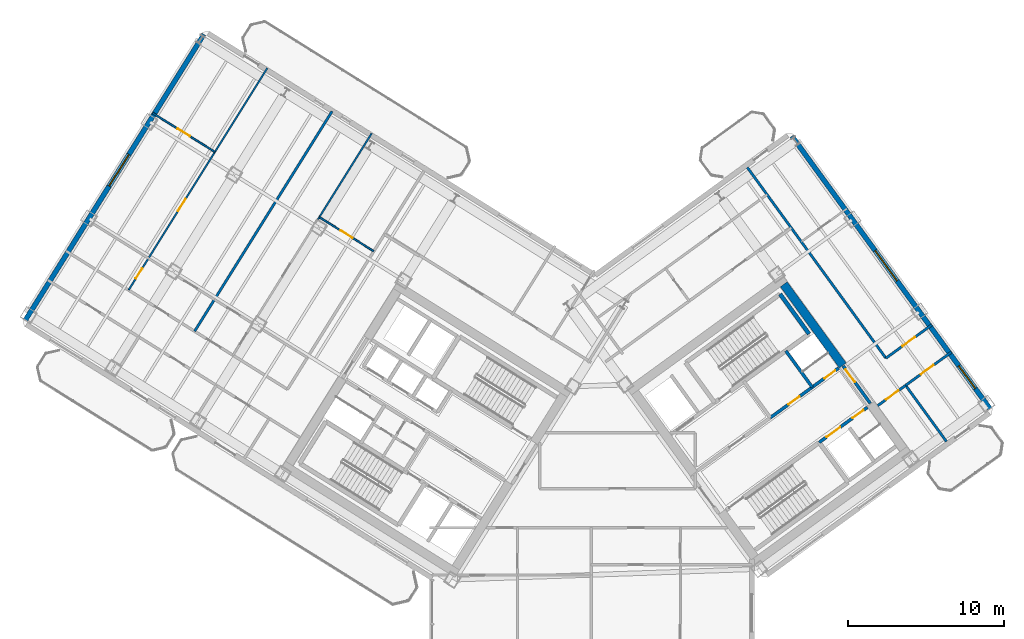
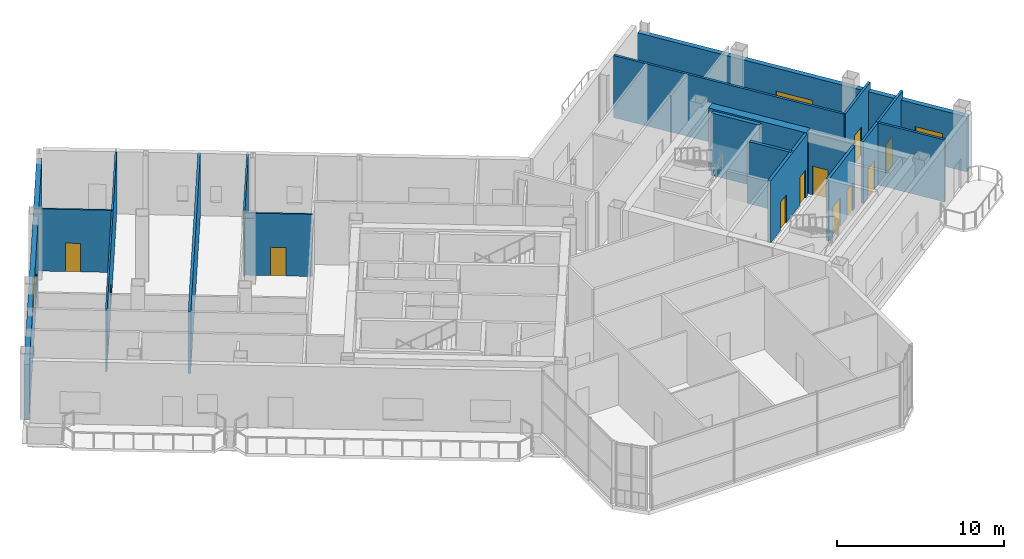
# One storey, part 16 of 21: 18 walls, 12 doors, 3 windows, 15 openings.
"""IFC4 building model written with IfcOpenShell, lengths in metres."""

from ifc_helpers import new_model, si_unit, direction, frame, frame_2d, origin, place, context, subcontext, project, spatial, rectangle, extrude, source, transform, mapped, material, layer, layer_set, type_object, element, fill, save


model = new_model("IFC4")

# Units and contexts
model_context = context("Model", 3, precision=1e-05, world=origin(), true_north=direction((0.0, 1.0)))
body_context = subcontext(model_context, "Body", "Model", "MODEL_VIEW")
ifc_project = project(units=[si_unit("LENGTHUNIT", "METRE"), si_unit("AREAUNIT", "SQUARE_METRE"), si_unit("VOLUMEUNIT", "CUBIC_METRE"), si_unit("PLANEANGLEUNIT", "RADIAN"), si_unit("MASSUNIT", "GRAM", prefix="KILO")], contexts=[model_context])

# Site, building, storey
site_placement = place(None, origin())
site = spatial("IfcSite", under=ifc_project, at=site_placement, CompositionType="ELEMENT")
building_placement = place(site_placement, origin())
building = spatial("IfcBuilding", under=site, at=building_placement, Name="Tlacorven Tower", CompositionType="ELEMENT")
storey_placement = place(building_placement, frame((0.0, 0.0, 179.39990234375)))
storey = spatial("IfcBuildingStorey", under=building, at=storey_placement, Name="L45", CompositionType="ELEMENT", Elevation=179.39990234375)

# Walls
ifc_material_1 = material(Name="Concrete C60/75", Category="concrete")
ifc_layer_1 = layer(ifc_material_1, 0.550048828125)
ifc_layer_set_1 = layer_set([ifc_layer_1], Name="Concrete C60/75")
wall_type_1 = type_object("IfcWallType", Name="WL-COR-550", PredefinedType="SHEAR", material=ifc_layer_set_1)
wall_1_placement = place(storey_placement, frame((58.06396484375, 25.8134765625, 0.0), z_axis=(0.0, 0.0, 1.0), x_axis=(-0.587764933797, 0.809031756236, 0.0)))
element("IfcWall", 1, at=wall_1_placement, inside=storey, type_object=wall_type_1, Name="L45 E core end wall E2.2", PredefinedType="SHEAR", context=body_context, shape_type="SweptSolid", body=[
    extrude(rectangle(XDim=6.425048828125, YDim=0.550048828125, at=frame_2d((3.21240234375, 0.0))), origin(), (0.0, 0.0, 1.0), 4.550048828125),
])
ifc_material_2 = material(Name="Gypsum plasterboard acoustic partition", Category="gypsum")
ifc_layer_2 = layer(ifc_material_2, 0.159912109375)
ifc_layer_set_2 = layer_set([ifc_layer_2], Name="Gypsum plasterboard acoustic partition")
wall_type_2 = type_object("IfcWallType", Name="WL-DEM-160", PredefinedType="PARTITIONING", material=ifc_layer_set_2)
wall_2_placement = place(storey_placement, frame((25.3505859375, 42.0947265625, 0.0), z_axis=(0.0, 0.0, 1.0), x_axis=(-0.529926315456, -0.848043690023, 0.0)))
element("IfcWall", 2, at=wall_2_placement, inside=storey, type_object=wall_type_2, Name="L45 WS Demising Wall 1", PredefinedType="PARTITIONING", context=body_context, shape_type="SweptSolid", body=[
    extrude(rectangle(XDim=16.6201171875, YDim=0.159912109375, at=frame_2d((8.31005859375, 0.0))), origin(), (0.0, 0.0, 1.0), 4.5400390625),
])

# Wall, opening, door
wall_3_placement = place(storey_placement, frame((60.306884765625, 23.240478515625, 0.0), z_axis=(0.0, 0.0, 1.0), x_axis=(0.80898466188, 0.58782975158, 0.0)))
wall_3 = element("IfcWall", 3, at=wall_3_placement, inside=storey, type_object=wall_type_2, Name="L45 partition 86", PredefinedType="PARTITIONING", context=body_context, shape_type="SweptSolid", body=[
    extrude(rectangle(XDim=2.207763671875, YDim=0.159912109375, at=frame_2d((1.10400390625, 0.0))), origin(), (0.0, 0.0, 1.0), 4.5400390625),
])
opening_1_placement = place(wall_3_placement, frame((0.64794921875, 0.0, 0.0)))
opening_1 = element("IfcOpeningElement", 4, at=opening_1_placement, cuts=wall_3, Name="Opening D11", PredefinedType="OPENING", context=body_context, shape_type="SweptSolid", body=[
    extrude(rectangle(XDim=1.0, YDim=2.10009765625, at=frame_2d((0.5, 1.050048828125))), frame((0.0, 0.08984375, 0.0), z_axis=(0.0, -1.0, 0.0), x_axis=(1.0, 0.0, 0.0)), (0.0, 0.0, 1.0), 0.179931640625),
])
ifc_material_3 = material(Name="Fire-rated steel door assembly", Category="steel")
door_type_1 = type_object("IfcDoorType", Name="DR-FLT-FD60-1000", OperationType="NOTDEFINED", PredefinedType="DOOR", material=ifc_material_3)
shared_shape_1 = source(origin(), body_context, "Body", "SweptSolid", [
    extrude(rectangle(XDim=1.0, YDim=2.10009765625, at=frame_2d((0.5, 1.050048828125))), frame((0.0, 0.02490234375, 0.0), z_axis=(0.0, -1.0, 0.0), x_axis=(1.0, 0.0, 0.0)), (0.0, 0.0, 1.0), 0.050048828125),
])
door_1_placement = place(opening_1_placement, frame((1.0, 0.0, 0.0), z_axis=(0.0, 0.0, 1.0), x_axis=(-1.0, 0.0, 0.0)))
door_1 = element("IfcDoor", 5, at=door_1_placement, inside=storey, type_object=door_type_1, Name="L45 door 054", OperationType="SINGLE_SWING_LEFT", OverallHeight=2.10009765625, OverallWidth=1.0, PredefinedType="DOOR", context=body_context, shape_type="MappedRepresentation", body=[
    mapped(shared_shape_1, transform((0.0, 0.0, 0.0), scale=1.0)),
])
fill(opening_1, door_1)

# Walls
wall_4_placement = place(storey_placement, frame((64.708740234375, 20.93798828125, 0.0), z_axis=(0.0, 0.0, 1.0), x_axis=(-0.587773666605, 0.809025411743, 0.0)))
element("IfcWall", 6, at=wall_4_placement, inside=storey, type_object=wall_type_2, Name="L45 partition 88", PredefinedType="PARTITIONING", context=body_context, shape_type="SweptSolid", body=[
    extrude(rectangle(XDim=4.4501953125, YDim=0.159912109375, at=frame_2d((2.22509765625, 0.0))), origin(), (0.0, 0.0, 1.0), 4.5400390625),
])
wall_5_placement = place(storey_placement, frame((60.829345703125, 26.277587890625, 0.0), z_axis=(0.0, 0.0, 1.0), x_axis=(-0.587777474174, 0.809022645451, 0.0)))
element("IfcWall", 7, at=wall_5_placement, inside=storey, type_object=wall_type_2, Name="L45 partition 89", PredefinedType="PARTITIONING", context=body_context, shape_type="SweptSolid", body=[
    extrude(rectangle(XDim=15.10009765625, YDim=0.159912109375, at=frame_2d((7.550048828125, 0.0))), origin(), (0.0, 0.0, 1.0), 4.5400390625),
])

# Wall, opening, door
wall_6_placement = place(storey_placement, frame((62.093017578125, 24.538330078125, 0.0), z_axis=(0.0, 0.0, 1.0), x_axis=(0.809035546126, 0.58775971715, 0.0)))
wall_6 = element("IfcWall", 8, at=wall_6_placement, inside=storey, type_object=wall_type_2, Name="L45 partition 91", PredefinedType="PARTITIONING", context=body_context, shape_type="SweptSolid", body=[
    extrude(rectangle(XDim=3.6298828125, YDim=0.159912109375, at=frame_2d((1.81494140625, 0.0))), origin(), (0.0, 0.0, 1.0), 4.5400390625),
])
opening_2_placement = place(wall_6_placement, frame((1.199951171875, 0.0, 0.0)))
opening_2 = element("IfcOpeningElement", 9, at=opening_2_placement, cuts=wall_6, Name="Opening D11", PredefinedType="OPENING", context=body_context, shape_type="SweptSolid", body=[
    extrude(rectangle(XDim=1.0, YDim=2.10009765625, at=frame_2d((0.5, 1.050048828125))), frame((0.0, 0.08984375, 0.0), z_axis=(0.0, -1.0, 0.0), x_axis=(1.0, 0.0, 0.0)), (0.0, 0.0, 1.0), 0.179931640625),
])
door_2_placement = place(opening_2_placement, frame((1.0, 0.0, 0.0), z_axis=(0.0, 0.0, 1.0), x_axis=(-1.0, 0.0, 0.0)))
door_2 = element("IfcDoor", 10, at=door_2_placement, inside=storey, type_object=door_type_1, Name="L45 door 058", OperationType="SINGLE_SWING_LEFT", OverallHeight=2.10009765625, OverallWidth=1.0, PredefinedType="DOOR", context=body_context, shape_type="MappedRepresentation", body=[
    mapped(shared_shape_1, transform((0.0, 0.0, 0.0), scale=1.0)),
])
fill(opening_2, door_2)

wall_7_placement = place(storey_placement, frame((60.829345703125, 26.277587890625, 0.0), z_axis=(0.0, 0.0, 1.0), x_axis=(0.809003564202, 0.587803736896, 0.0)))
wall_7 = element("IfcWall", 11, at=wall_7_placement, inside=storey, type_object=wall_type_2, Name="L45 partition 92", PredefinedType="PARTITIONING", context=body_context, shape_type="SweptSolid", body=[
    extrude(rectangle(XDim=3.630126953125, YDim=0.159912109375, at=frame_2d((1.81494140625, 0.0))), origin(), (0.0, 0.0, 1.0), 4.5400390625),
])
opening_3_placement = place(wall_7_placement, frame((1.304931640625, 0.0, 0.0)))
opening_3 = element("IfcOpeningElement", 12, at=opening_3_placement, cuts=wall_7, Name="Opening D11", PredefinedType="OPENING", context=body_context, shape_type="SweptSolid", body=[
    extrude(rectangle(XDim=1.0, YDim=2.10009765625, at=frame_2d((0.5, 1.050048828125))), frame((0.0, 0.08984375, 0.0), z_axis=(0.0, -1.0, 0.0), x_axis=(1.0, 0.0, 0.0)), (0.0, 0.0, 1.0), 0.179931640625),
])
door_3_placement = place(opening_3_placement, origin())
door_3 = element("IfcDoor", 13, at=door_3_placement, inside=storey, type_object=door_type_1, Name="L45 door 056", OperationType="SINGLE_SWING_LEFT", OverallHeight=2.10009765625, OverallWidth=1.0, PredefinedType="DOOR", context=body_context, shape_type="MappedRepresentation", body=[
    mapped(shared_shape_1, transform((0.0, 0.0, 0.0), scale=1.0)),
])
fill(opening_3, door_3)

# Wall, opening, window
ifc_material_4 = material(Name="Precast concrete C45/55", Category="concrete")
ifc_layer_3 = layer(ifc_material_4, 0.320068359375)
ifc_layer_set_3 = layer_set([ifc_layer_3], Name="Precast concrete C45/55")
wall_type_3 = type_object("IfcWallType", Name="WL-EXT-320", PredefinedType="STANDARD", material=ifc_layer_set_3)
wall_8_placement = place(storey_placement, frame((5.699951171875, 28.71044921875, 0.0), z_axis=(0.0, 0.0, 1.0), x_axis=(0.529923711467, 0.8480453172, 0.0)))
wall_8 = element("IfcWall", 14, at=wall_8_placement, inside=storey, type_object=wall_type_3, Name="L45 Masonry-Frame Recessed Facade Wall 2", PredefinedType="STANDARD", context=body_context, shape_type="SweptSolid", body=[
    extrude(rectangle(XDim=21.58740234375, YDim=0.320068359375, at=frame_2d((10.793701171875, 0.0))), origin(), (0.0, 0.0, 1.0), 4.025146484375),
])
opening_4_placement = place(wall_8_placement, frame((10.126708984375, 0.0, 0.75)))
opening_4 = element("IfcOpeningElement", 15, at=opening_4_placement, cuts=wall_8, Name="Opening WN06", PredefinedType="OPENING", context=body_context, shape_type="SweptSolid", body=[
    extrude(rectangle(XDim=2.39990234375, YDim=1.60009765625, at=frame_2d((1.199951171875, 0.800048828125))), frame((0.0, 0.169921875, 0.0), z_axis=(0.0, -1.0, 0.0), x_axis=(1.0, 0.0, 0.0)), (0.0, 0.0, 1.0), 0.340087890625),
])
ifc_material_5 = material(Name="Dark solar low-E double glazing in anodised aluminium frame", Category="aluminium")
window_type_1 = type_object("IfcWindowType", Name="WN-APT-2400X1800", PartitioningType="SINGLE_PANEL", PredefinedType="WINDOW", material=ifc_material_5)
shared_shape_2 = source(origin(), body_context, "Body", "SweptSolid", [
    extrude(rectangle(XDim=2.39990234375, YDim=1.60009765625, at=frame_2d((1.199951171875, 0.800048828125))), frame((0.0, 0.030029296875, 0.0), z_axis=(0.0, -1.0, 0.0), x_axis=(1.0, 0.0, 0.0)), (0.0, 0.0, 1.0), 0.06005859375),
])
window_1_placement = place(opening_4_placement, origin())
window_1 = element("IfcWindow", 16, at=window_1_placement, inside=storey, type_object=window_type_1, Name="L45 Recessed Masonry-Frame Window L45-02.1", OverallHeight=1.60009765625, OverallWidth=2.39990234375, PartitioningType="SINGLE_PANEL", PredefinedType="WINDOW", context=body_context, shape_type="MappedRepresentation", body=[
    mapped(shared_shape_2, transform((0.0, 0.0, 0.0), scale=1.0)),
])
fill(opening_4, window_1)

# Wall, openings, windows
wall_9_placement = place(storey_placement, frame((54.810302734375, 40.49951171875, 0.0), z_axis=(0.0, 0.0, 1.0), x_axis=(0.587783625747, -0.809018176127, 0.0)))
wall_9 = element("IfcWall", 17, at=wall_9_placement, inside=storey, type_object=wall_type_3, Name="L45 Masonry-Frame Recessed Facade Wall 5", PredefinedType="STANDARD", context=body_context, shape_type="SweptSolid", body=[
    extrude(rectangle(XDim=21.58740234375, YDim=0.320068359375, at=frame_2d((10.793701171875, 0.0))), origin(), (0.0, 0.0, 1.0), 4.025146484375),
])
opening_5_placement = place(wall_9_placement, frame((9.060546875, 0.0, 0.75)))
opening_5 = element("IfcOpeningElement", 18, at=opening_5_placement, cuts=wall_9, Name="Opening WN06", PredefinedType="OPENING", context=body_context, shape_type="SweptSolid", body=[
    extrude(rectangle(XDim=2.39990234375, YDim=1.60009765625, at=frame_2d((1.199951171875, 0.800048828125))), frame((0.0, 0.169921875, 0.0), z_axis=(0.0, -1.0, 0.0), x_axis=(1.0, 0.0, 0.0)), (0.0, 0.0, 1.0), 0.340087890625),
])
opening_6_placement = place(wall_9_placement, frame((18.18359375, 0.0, 0.85009765625)))
opening_6 = element("IfcOpeningElement", 19, at=opening_6_placement, cuts=wall_9, Name="Opening WN01", PredefinedType="OPENING", context=body_context, shape_type="SweptSolid", body=[
    extrude(rectangle(XDim=1.800048828125, YDim=1.5, at=frame_2d((0.89990234375, 0.75))), frame((0.0, 0.169921875, 0.0), z_axis=(0.0, -1.0, 0.0), x_axis=(1.0, 0.0, 0.0)), (0.0, 0.0, 1.0), 0.340087890625),
])
window_type_2 = type_object("IfcWindowType", Name="WN-APT-1800X1650", PartitioningType="SINGLE_PANEL", PredefinedType="WINDOW", material=ifc_material_5)
shared_shape_3 = source(origin(), body_context, "Body", "SweptSolid", [
    extrude(rectangle(XDim=1.800048828125, YDim=1.5, at=frame_2d((0.89990234375, 0.75))), frame((0.0, 0.030029296875, 0.0), z_axis=(0.0, -1.0, 0.0), x_axis=(1.0, 0.0, 0.0)), (0.0, 0.0, 1.0), 0.06005859375),
])
window_2_placement = place(opening_6_placement, origin())
window_2 = element("IfcWindow", 20, at=window_2_placement, inside=storey, type_object=window_type_2, Name="L45 Recessed Masonry-Frame Window L45-05.2", OverallHeight=1.5, OverallWidth=1.800048828125, PartitioningType="SINGLE_PANEL", PredefinedType="WINDOW", context=body_context, shape_type="MappedRepresentation", body=[
    mapped(shared_shape_3, transform((0.0, 0.0, 0.0), scale=1.0)),
])
fill(opening_6, window_2)
window_3_placement = place(opening_5_placement, origin())
window_3 = element("IfcWindow", 21, at=window_3_placement, inside=storey, type_object=window_type_1, Name="L45 Recessed Masonry-Frame Window L45-05.1", OverallHeight=1.60009765625, OverallWidth=2.39990234375, PartitioningType="SINGLE_PANEL", PredefinedType="WINDOW", context=body_context, shape_type="MappedRepresentation", body=[
    mapped(shared_shape_2, transform((0.0, 0.0, 0.0), scale=1.0)),
])
fill(opening_5, window_3)

# Wall
ifc_material_6 = material(Name="Gypsum plasterboard partition", Category="gypsum")
ifc_layer_4 = layer(ifc_material_6, 0.110107421875)
ifc_layer_set_4 = layer_set([ifc_layer_4], Name="Gypsum plasterboard partition")
wall_type_4 = type_object("IfcWallType", Name="WL-INT-110", PredefinedType="PARTITIONING", material=ifc_layer_set_4)
wall_10_placement = place(storey_placement, frame((27.889404296875, 40.68505859375, 0.0), z_axis=(0.0, 0.0, 1.0), x_axis=(-0.529924752708, -0.848044666552, 0.0)))
element("IfcWall", 22, at=wall_10_placement, inside=storey, type_object=wall_type_4, Name="L45 partition 54", PredefinedType="PARTITIONING", context=body_context, shape_type="SweptSolid", body=[
    extrude(rectangle(XDim=6.508056640625, YDim=0.110107421875, at=frame_2d((3.25390625, 0.0))), origin(), (0.0, 0.0, 1.0), 4.5400390625),
])

# Wall, opening, door
wall_11_placement = place(storey_placement, frame((28.0234375, 33.12890625, 0.0), z_axis=(0.0, 0.0, 1.0), x_axis=(-0.848051592054, 0.529913669587, 0.0)))
wall_11 = element("IfcWall", 23, at=wall_11_placement, inside=storey, type_object=wall_type_4, Name="L45 partition 58", PredefinedType="PARTITIONING", context=body_context, shape_type="SweptSolid", body=[
    extrude(rectangle(XDim=4.117919921875, YDim=0.110107421875, at=frame_2d((2.05908203125, 0.0))), origin(), (0.0, 0.0, 1.0), 4.5400390625),
])
opening_7_placement = place(wall_11_placement, frame((1.59912109375, 0.0, 0.0)))
opening_7 = element("IfcOpeningElement", 24, at=opening_7_placement, cuts=wall_11, Name="Opening D12", PredefinedType="OPENING", context=body_context, shape_type="SweptSolid", body=[
    extrude(rectangle(XDim=0.919921875, YDim=2.080078125, at=frame_2d((0.4599609375, 1.0400390625))), frame((0.0, 0.06494140625, 0.0), z_axis=(0.0, -1.0, 0.0), x_axis=(1.0, 0.0, 0.0)), (0.0, 0.0, 1.0), 0.130126953125),
])
ifc_material_7 = material(Name="Powder-coated aluminium and timber door", Category="wood")
door_type_2 = type_object("IfcDoorType", Name="DR-INT-ROOM-0920", OperationType="NOTDEFINED", PredefinedType="DOOR", material=ifc_material_7)
shared_shape_4 = source(origin(), body_context, "Body", "SweptSolid", [
    extrude(rectangle(XDim=0.919921875, YDim=2.080078125, at=frame_2d((0.4599609375, 1.0400390625))), frame((0.0, 0.02490234375, 0.0), z_axis=(0.0, -1.0, 0.0), x_axis=(1.0, 0.0, 0.0)), (0.0, 0.0, 1.0), 0.050048828125),
])
door_4_placement = place(opening_7_placement, origin())
door_4 = element("IfcDoor", 25, at=door_4_placement, inside=storey, type_object=door_type_2, Name="L45 door 031", OperationType="SINGLE_SWING_LEFT", OverallHeight=2.080078125, OverallWidth=0.919921875, PredefinedType="DOOR", context=body_context, shape_type="MappedRepresentation", body=[
    mapped(shared_shape_4, transform((0.0, 0.0, 0.0), scale=1.0)),
])
fill(opening_7, door_4)

# Wall, openings, doors
wall_12_placement = place(storey_placement, frame((21.20166015625, 44.864013671875, 0.0), z_axis=(0.0, 0.0, 1.0), x_axis=(-0.529920421309, -0.848047373134, 0.0)))
wall_12 = element("IfcWall", 26, at=wall_12_placement, inside=storey, type_object=wall_type_4, Name="L45 partition 59", PredefinedType="PARTITIONING", context=body_context, shape_type="SweptSolid", body=[
    extrude(rectangle(XDim=16.77001953125, YDim=0.110107421875, at=frame_2d((8.385009765625, 0.0))), origin(), (0.0, 0.0, 1.0), 4.5400390625),
])
opening_8_placement = place(wall_12_placement, frame((15.1298828125, 0.0, 0.0)))
opening_8 = element("IfcOpeningElement", 27, at=opening_8_placement, cuts=wall_12, Name="Opening D22", PredefinedType="OPENING", context=body_context, shape_type="SweptSolid", body=[
    extrude(rectangle(XDim=0.780029296875, YDim=2.050048828125, at=frame_2d((0.39013671875, 1.02490234375))), frame((0.0, 0.06494140625, 0.0), z_axis=(0.0, -1.0, 0.0), x_axis=(1.0, 0.0, 0.0)), (0.0, 0.0, 1.0), 0.130126953125),
])
opening_9_placement = place(wall_12_placement, frame((9.883544921875, 0.0, 0.0)))
opening_9 = element("IfcOpeningElement", 28, at=opening_9_placement, cuts=wall_12, Name="Opening D12", PredefinedType="OPENING", context=body_context, shape_type="SweptSolid", body=[
    extrude(rectangle(XDim=0.919921875, YDim=2.080078125, at=frame_2d((0.4599609375, 1.0400390625))), frame((0.0, 0.06494140625, 0.0), z_axis=(0.0, -1.0, 0.0), x_axis=(1.0, 0.0, 0.0)), (0.0, 0.0, 1.0), 0.130126953125),
])
door_type_3 = type_object("IfcDoorType", Name="DR-INT-WET-0780", OperationType="NOTDEFINED", PredefinedType="DOOR", material=ifc_material_7)
shared_shape_5 = source(origin(), body_context, "Body", "SweptSolid", [
    extrude(rectangle(XDim=0.780029296875, YDim=2.050048828125, at=frame_2d((0.39013671875, 1.02490234375))), frame((0.0, 0.02490234375, 0.0), z_axis=(0.0, -1.0, 0.0), x_axis=(1.0, 0.0, 0.0)), (0.0, 0.0, 1.0), 0.050048828125),
])
door_5_placement = place(opening_8_placement, origin())
door_5 = element("IfcDoor", 29, at=door_5_placement, inside=storey, type_object=door_type_3, Name="L45 door 035", OperationType="SINGLE_SWING_LEFT", OverallHeight=2.050048828125, OverallWidth=0.780029296875, PredefinedType="DOOR", context=body_context, shape_type="MappedRepresentation", body=[
    mapped(shared_shape_5, transform((0.0, 0.0, 0.0), scale=1.0)),
])
fill(opening_8, door_5)
door_6_placement = place(opening_9_placement, origin())
door_6 = element("IfcDoor", 30, at=door_6_placement, inside=storey, type_object=door_type_2, Name="L45 door 036", OperationType="SINGLE_SWING_RIGHT", OverallHeight=2.080078125, OverallWidth=0.919921875, PredefinedType="DOOR", context=body_context, shape_type="MappedRepresentation", body=[
    mapped(shared_shape_4, transform((0.0, 0.0, 0.0), scale=1.0)),
])
fill(opening_9, door_6)

# Wall, opening, door
wall_13_placement = place(storey_placement, frame((17.843505859375, 39.489990234375, 0.0), z_axis=(0.0, 0.0, 1.0), x_axis=(-0.848042018142, 0.529928990966, 0.0)))
wall_13 = element("IfcWall", 31, at=wall_13_placement, inside=storey, type_object=wall_type_4, Name="L45 partition 63", PredefinedType="PARTITIONING", context=body_context, shape_type="SweptSolid", body=[
    extrude(rectangle(XDim=4.7060546875, YDim=0.110107421875, at=frame_2d((2.35302734375, 0.0))), origin(), (0.0, 0.0, 1.0), 4.5400390625),
])
opening_10_placement = place(wall_13_placement, frame((1.89306640625, 0.0, 0.0)))
opening_10 = element("IfcOpeningElement", 32, at=opening_10_placement, cuts=wall_13, Name="Opening D12", PredefinedType="OPENING", context=body_context, shape_type="SweptSolid", body=[
    extrude(rectangle(XDim=0.919921875, YDim=2.080078125, at=frame_2d((0.4599609375, 1.0400390625))), frame((0.0, 0.06494140625, 0.0), z_axis=(0.0, -1.0, 0.0), x_axis=(1.0, 0.0, 0.0)), (0.0, 0.0, 1.0), 0.130126953125),
])
door_7_placement = place(opening_10_placement, origin())
door_7 = element("IfcDoor", 33, at=door_7_placement, inside=storey, type_object=door_type_2, Name="L45 door 037", OperationType="SINGLE_SWING_LEFT", OverallHeight=2.080078125, OverallWidth=0.919921875, PredefinedType="DOOR", context=body_context, shape_type="MappedRepresentation", body=[
    mapped(shared_shape_4, transform((0.0, 0.0, 0.0), scale=1.0)),
])
fill(opening_10, door_7)

# Wall, openings, doors
ifc_material_8 = material(Name="Concrete C40/50", Category="concrete")
ifc_layer_5 = layer(ifc_material_8, 0.199951171875)
ifc_layer_set_5 = layer_set([ifc_layer_5], Name="Concrete C40/50")
wall_type_5 = type_object("IfcWallType", Name="WL-SHF-200", PredefinedType="STANDARD", material=ifc_layer_set_5)
wall_14_placement = place(storey_placement, frame((56.552978515625, 20.884033203125, 0.0), z_axis=(0.0, 0.0, 1.0), x_axis=(0.809023564264, 0.58777620951, 0.0)))
wall_14 = element("IfcWall", 34, at=wall_14_placement, inside=storey, type_object=wall_type_5, Name="L45 Core E South Lift Shaft Wall", PredefinedType="STANDARD", context=body_context, shape_type="SweptSolid", body=[
    extrude(rectangle(XDim=3.818115234375, YDim=0.199951171875, at=frame_2d((1.9091796875, 0.0))), origin(), (0.0, 0.0, 1.0), 4.5400390625),
])
opening_11_placement = place(wall_14_placement, frame((0.570068359375, 0.0, 0.0)))
opening_11 = element("IfcOpeningElement", 35, at=opening_11_placement, cuts=wall_14, Name="Opening LD01", PredefinedType="OPENING", context=body_context, shape_type="SweptSolid", body=[
    extrude(rectangle(XDim=1.10009765625, YDim=2.14990234375, at=frame_2d((0.550048828125, 1.074951171875))), frame((0.0, 0.10986328125, 0.0), z_axis=(0.0, -1.0, 0.0), x_axis=(1.0, 0.0, 0.0)), (0.0, 0.0, 1.0), 0.219970703125),
])
opening_12_placement = place(wall_14_placement, frame((2.64990234375, 0.0, 0.0)))
opening_12 = element("IfcOpeningElement", 36, at=opening_12_placement, cuts=wall_14, Name="Opening D19", PredefinedType="OPENING", context=body_context, shape_type="SweptSolid", body=[
    extrude(rectangle(XDim=0.860107421875, YDim=2.050048828125, at=frame_2d((0.43017578125, 1.02490234375))), frame((0.0, 0.10986328125, 0.0), z_axis=(0.0, -1.0, 0.0), x_axis=(1.0, 0.0, 0.0)), (0.0, 0.0, 1.0), 0.219970703125),
])
door_type_4 = type_object("IfcDoorType", Name="DR-RSR-FD60-0860", OperationType="NOTDEFINED", PredefinedType="DOOR", material=ifc_material_3)
shared_shape_6 = source(origin(), body_context, "Body", "SweptSolid", [
    extrude(rectangle(XDim=0.860107421875, YDim=2.050048828125, at=frame_2d((0.43017578125, 1.02490234375))), frame((0.0, 0.02490234375, 0.0), z_axis=(0.0, -1.0, 0.0), x_axis=(1.0, 0.0, 0.0)), (0.0, 0.0, 1.0), 0.050048828125),
])
door_8_placement = place(opening_12_placement, origin())
door_8 = element("IfcDoor", 37, at=door_8_placement, inside=storey, type_object=door_type_4, Name="L45 Smoke Extract Riser Access Door", OperationType="SINGLE_SWING_RIGHT", OverallHeight=2.050048828125, OverallWidth=0.860107421875, PredefinedType="DOOR", context=body_context, shape_type="MappedRepresentation", body=[
    mapped(shared_shape_6, transform((0.0, 0.0, 0.0), scale=1.0)),
])
fill(opening_12, door_8)
door_type_5 = type_object("IfcDoorType", Name="DR-LFT-SLID-1100", OperationType="DOUBLE_DOOR_SLIDING", PredefinedType="DOOR", material=ifc_material_3)
shared_shape_7 = source(origin(), body_context, "Body", "SweptSolid", [
    extrude(rectangle(XDim=1.10009765625, YDim=2.14990234375, at=frame_2d((0.550048828125, 1.074951171875))), frame((0.0, 0.02490234375, 0.0), z_axis=(0.0, -1.0, 0.0), x_axis=(1.0, 0.0, 0.0)), (0.0, 0.0, 1.0), 0.050048828125),
])
door_9_placement = place(opening_11_placement, origin())
door_9 = element("IfcDoor", 38, at=door_9_placement, inside=storey, type_object=door_type_5, Name="L45 Lift PL-M4 Sliding Landing Door", OperationType="DOUBLE_DOOR_SLIDING", OverallHeight=2.14990234375, OverallWidth=1.10009765625, PredefinedType="DOOR", context=body_context, shape_type="MappedRepresentation", body=[
    mapped(shared_shape_7, transform((0.0, 0.0, 0.0), scale=1.0)),
])
fill(opening_11, door_9)

# Wall
wall_15_placement = place(storey_placement, frame((56.110595703125, 24.4189453125, 0.0), z_axis=(0.0, 0.0, 1.0), x_axis=(-0.58777848983, 0.809021907548, 0.0)))
element("IfcWall", 39, at=wall_15_placement, inside=storey, type_object=wall_type_5, Name="L45 partition 42", PredefinedType="STANDARD", context=body_context, shape_type="SweptSolid", body=[
    extrude(rectangle(XDim=2.880126953125, YDim=0.199951171875, at=frame_2d((1.43994140625, 0.0))), origin(), (0.0, 0.0, 1.0), 4.5400390625),
])

# Wall, openings, doors
wall_16_placement = place(storey_placement, frame((53.424560546875, 22.467529296875, 0.0), z_axis=(0.0, 0.0, 1.0), x_axis=(0.809024377198, 0.587775090574, 0.0)))
wall_16 = element("IfcWall", 40, at=wall_16_placement, inside=storey, type_object=wall_type_5, Name="L45 Core E North Service Wall", PredefinedType="STANDARD", context=body_context, shape_type="SweptSolid", body=[
    extrude(rectangle(XDim=5.41796875, YDim=0.199951171875, at=frame_2d((2.708984375, 0.0))), origin(), (0.0, 0.0, 1.0), 4.5400390625),
])
opening_13_placement = place(wall_16_placement, frame((4.280029296875, 0.0, 0.0)))
opening_13 = element("IfcOpeningElement", 41, at=opening_13_placement, cuts=wall_16, Name="Opening D19", PredefinedType="OPENING", context=body_context, shape_type="SweptSolid", body=[
    extrude(rectangle(XDim=0.860107421875, YDim=2.050048828125, at=frame_2d((0.43017578125, 1.02490234375))), frame((0.0, 0.10986328125, 0.0), z_axis=(0.0, -1.0, 0.0), x_axis=(1.0, 0.0, 0.0)), (0.0, 0.0, 1.0), 0.219970703125),
])
opening_14_placement = place(wall_16_placement, frame((1.449951171875, 0.0, 0.0)))
opening_14 = element("IfcOpeningElement", 42, at=opening_14_placement, cuts=wall_16, Name="Opening D19", PredefinedType="OPENING", context=body_context, shape_type="SweptSolid", body=[
    extrude(rectangle(XDim=0.860107421875, YDim=2.050048828125, at=frame_2d((0.43017578125, 1.02490234375))), frame((0.0, 0.10986328125, 0.0), z_axis=(0.0, -1.0, 0.0), x_axis=(1.0, 0.0, 0.0)), (0.0, 0.0, 1.0), 0.219970703125),
])
door_10_placement = place(opening_13_placement, frame((0.860107421875, 0.0, 0.0), z_axis=(0.0, 0.0, 1.0), x_axis=(-1.0, 0.0, 0.0)))
door_10 = element("IfcDoor", 43, at=door_10_placement, inside=storey, type_object=door_type_4, Name="L45 Electrical Riser Access Door E", OperationType="SINGLE_SWING_LEFT", OverallHeight=2.050048828125, OverallWidth=0.860107421875, PredefinedType="DOOR", context=body_context, shape_type="MappedRepresentation", body=[
    mapped(shared_shape_6, transform((0.0, 0.0, 0.0), scale=1.0)),
])
fill(opening_13, door_10)
door_11_placement = place(opening_14_placement, frame((0.860107421875, 0.0, 0.0), z_axis=(0.0, 0.0, 1.0), x_axis=(-1.0, 0.0, 0.0)))
door_11 = element("IfcDoor", 44, at=door_11_placement, inside=storey, type_object=door_type_4, Name="L45 Housekeeping Linen Access Door E", OperationType="SINGLE_SWING_RIGHT", OverallHeight=2.050048828125, OverallWidth=0.860107421875, PredefinedType="DOOR", context=body_context, shape_type="MappedRepresentation", body=[
    mapped(shared_shape_6, transform((0.0, 0.0, 0.0), scale=1.0)),
])
fill(opening_14, door_11)

# Wall, opening, door
wall_17_placement = place(storey_placement, frame((59.827392578125, 23.386474609375, 0.0), z_axis=(0.0, 0.0, 1.0), x_axis=(-0.587803840107, 0.809003489211, 0.0)))
wall_17 = element("IfcWall", 45, at=wall_17_placement, inside=storey, type_object=wall_type_5, Name="L45 partition 85", PredefinedType="STANDARD", context=body_context, shape_type="SweptSolid", body=[
    extrude(rectangle(XDim=2.960205078125, YDim=0.199951171875, at=frame_2d((1.47998046875, 0.0))), origin(), (0.0, 0.0, 1.0), 4.5400390625),
])
opening_15_placement = place(wall_17_placement, frame((1.679931640625, 0.0, 0.0)))
opening_15 = element("IfcOpeningElement", 46, at=opening_15_placement, cuts=wall_17, Name="Opening D11", PredefinedType="OPENING", context=body_context, shape_type="SweptSolid", body=[
    extrude(rectangle(XDim=1.0, YDim=2.10009765625, at=frame_2d((0.5, 1.050048828125))), frame((0.0, 0.10986328125, 0.0), z_axis=(0.0, -1.0, 0.0), x_axis=(1.0, 0.0, 0.0)), (0.0, 0.0, 1.0), 0.219970703125),
])
door_12_placement = place(opening_15_placement, origin())
door_12 = element("IfcDoor", 47, at=door_12_placement, inside=storey, type_object=door_type_1, Name="L45 door 055", OperationType="SINGLE_SWING_RIGHT", OverallHeight=2.10009765625, OverallWidth=1.0, PredefinedType="DOOR", context=body_context, shape_type="MappedRepresentation", body=[
    mapped(shared_shape_1, transform((0.0, 0.0, 0.0), scale=1.0)),
])
fill(opening_15, door_12)

# Wall
ifc_material_9 = material(Name="Concrete C50/60", Category="concrete")
ifc_layer_6 = layer(ifc_material_9, 0.260009765625)
ifc_layer_set_6 = layer_set([ifc_layer_6], Name="Concrete C50/60")
wall_type_6 = type_object("IfcWallType", Name="WL-STW-260", PredefinedType="SHEAR", material=ifc_layer_set_6)
wall_18_placement = place(storey_placement, frame((55.906494140625, 27.83056640625, 0.0), z_axis=(0.0, 0.0, 1.0), x_axis=(-0.587804123638, 0.809003283204, 0.0)))
element("IfcWall", 48, at=wall_18_placement, inside=storey, type_object=wall_type_6, Name="L45 Stair E1 East Shear Wall", PredefinedType="SHEAR", context=body_context, shape_type="SweptSolid", body=[
    extrude(rectangle(XDim=3.159912109375, YDim=0.260009765625, at=frame_2d((1.580078125, 0.0))), origin(), (0.0, 0.0, 1.0), 4.550048828125),
])

save(model, "model.ifc")
